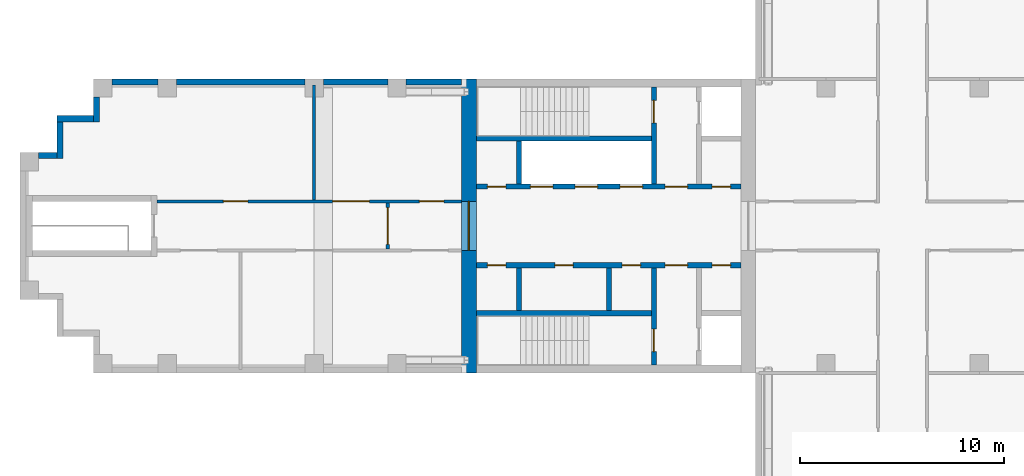
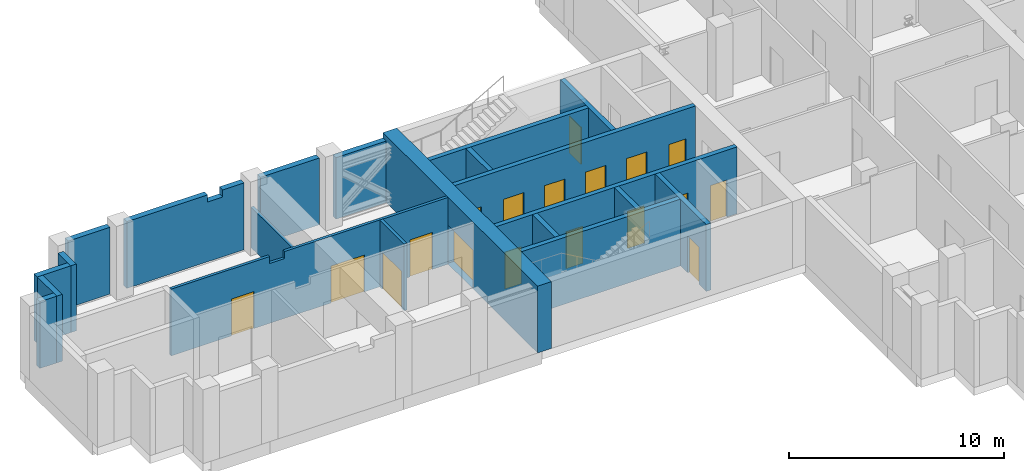
# One storey, part 3 of 8: 21 walls, 18 doors, 18 openings.
"""IFC4 building model written with IfcOpenShell, lengths in metres."""

import ifcopenshell
import ifcopenshell.guid

model = None  # the IFC model being written
_history = None  # IfcOwnerHistory: only IFC2X3 demands one
_inside = {}  # id of a spatial element -> (the spatial element, [elements in it])
_under = {}  # id of a project, library or spatial element -> (it, [spatial elements below it])
_declared = {}  # id of a project -> (the project, [libraries it declares])
_typed = {}  # id of a type object -> (the type object, [elements of that type])
_made_of = {}  # id of a material, layer set ... -> (it, [elements and type objects made of it])


def new_model(schema):
    """Start an empty IFC model of exactly this schema.

    Asked for "IFC4X3", IfcOpenShell would pick the latest addendum, in which some entities
    have other attributes; the version numbers below select the first issue.
    IFC2X3 requires an IfcOwnerHistory on every rooted entity: one is made here for all.
    """
    global model, _history
    if schema == "IFC4X3":
        model = ifcopenshell.file(schema_version=(4, 3, 0, 0))
    else:
        model = ifcopenshell.file(schema=schema)
    _inside.clear()
    _under.clear()
    _declared.clear()
    _typed.clear()
    _made_of.clear()
    _history = None
    if model.schema == "IFC2X3":
        org = make("IfcOrganization", Name="unknown")
        user = make(
            "IfcPersonAndOrganization",
            ThePerson=make("IfcPerson", FamilyName="unknown"),
            TheOrganization=org,
        )
        app = make(
            "IfcApplication",
            ApplicationDeveloper=org,
            Version="unknown",
            ApplicationFullName="unknown",
            ApplicationIdentifier="unknown",
        )
        _history = make(
            "IfcOwnerHistory",
            OwningUser=user,
            OwningApplication=app,
            ChangeAction="ADDED",
            CreationDate=0,
        )
    return model


def make(cls, **values):
    """One entity of the class cls with the attributes given. An attribute that is None is left unset."""
    return model.create_entity(
        cls, **{name: value for name, value in values.items() if value is not None}
    )


def rooted(cls, **values):
    """An entity with a GlobalId (a new one), such as an element, a storey or a relation."""
    return make(cls, GlobalId=ifcopenshell.guid.new(), OwnerHistory=_history, **values)


def si_unit(unit_type, name, prefix=None):
    """IfcSIUnit, for example si_unit("LENGTHUNIT", "METRE", prefix="MILLI")."""
    return make("IfcSIUnit", UnitType=unit_type, Prefix=prefix, Name=name)


def assignment(units):
    """IfcUnitAssignment: the units of a project."""
    return None if units is None else make("IfcUnitAssignment", Units=units)


def point(xyz):
    """IfcCartesianPoint."""
    return None if xyz is None else make("IfcCartesianPoint", Coordinates=xyz)


def direction(xyz):
    """IfcDirection."""
    return None if xyz is None else make("IfcDirection", DirectionRatios=xyz)


def frame(location, z_axis=None, x_axis=None):
    """IfcAxis2Placement3D, a coordinate frame: its origin and axes. An axis left out is left unset."""
    return make(
        "IfcAxis2Placement3D",
        Location=point(location),
        Axis=direction(z_axis),
        RefDirection=direction(x_axis),
    )


def frame_2d(location, x_axis=None):
    """IfcAxis2Placement2D, a coordinate frame in the plane: its origin and x axis."""
    return make(
        "IfcAxis2Placement2D", Location=point(location), RefDirection=direction(x_axis)
    )


def origin():
    """The frame at (0, 0, 0) with its axes left unset."""
    return frame((0.0, 0.0, 0.0))


def place(relative_to, where):
    """IfcLocalPlacement: puts the frame where relative to a parent placement (None: the world)."""
    return make(
        "IfcLocalPlacement", PlacementRelTo=relative_to, RelativePlacement=where
    )


def context(
    kind, dimensions, precision=None, world=None, true_north=None, identifier=None
):
    """IfcGeometricRepresentationContext, for example the 3D "Model" context."""
    return make(
        "IfcGeometricRepresentationContext",
        ContextIdentifier=identifier,
        ContextType=kind,
        CoordinateSpaceDimension=dimensions,
        Precision=precision,
        WorldCoordinateSystem=world,
        TrueNorth=true_north,
    )


def subcontext(parent, identifier, kind, view, scale=None):
    """IfcGeometricRepresentationSubContext, for example "Body" below "Model"."""
    return make(
        "IfcGeometricRepresentationSubContext",
        ContextIdentifier=identifier,
        ContextType=kind,
        ParentContext=parent,
        TargetScale=scale,
        TargetView=view,
    )


def project(units=None, contexts=None):
    """IfcProject with its units and contexts."""
    return rooted(
        "IfcProject",
        Name="project",
        RepresentationContexts=contexts,
        UnitsInContext=assignment(units),
    )


def spatial(cls, under=None, at=None, **own):
    """A site, building, storey or space (cls), placed at a placement, below another one or the project."""
    s = rooted(cls, ObjectPlacement=at, **own)
    if under is not None:
        _under.setdefault(under.id(), (under, []))[1].append(s)
    return s


def polyline(points):
    """IfcPolyline through the points."""
    return make("IfcPolyline", Points=[point(p) for p in points])


def profile(cls, at=None, kind="AREA", **sizes):
    """A parametric profile (cls). Its sizes go by their IFC names, for example OverallWidth=200.0."""
    return make(cls, ProfileType=kind, Position=at, **sizes)


def rectangle(**sizes):
    """IfcRectangleProfileDef."""
    return profile("IfcRectangleProfileDef", **sizes)


def outline(outer, holes=None, kind="AREA"):
    """IfcArbitraryClosedProfileDef: a profile drawn as a closed curve; with holes, ...WithVoids."""
    if holes is None:
        return make("IfcArbitraryClosedProfileDef", ProfileType=kind, OuterCurve=outer)
    return make(
        "IfcArbitraryProfileDefWithVoids",
        ProfileType=kind,
        OuterCurve=outer,
        InnerCurves=holes,
    )


def extrude(swept, where, along, depth):
    """IfcExtrudedAreaSolid: the profile swept, set in the frame where, extruded along a direction by depth."""
    return make(
        "IfcExtrudedAreaSolid",
        SweptArea=swept,
        Position=where,
        ExtrudedDirection=direction(along),
        Depth=depth,
    )


def shape(context_of_items, identifier, shape_type, items):
    """IfcShapeRepresentation: the items that make up one representation, for example the "Body"."""
    return make(
        "IfcShapeRepresentation",
        ContextOfItems=context_of_items,
        RepresentationIdentifier=identifier,
        RepresentationType=shape_type,
        Items=items,
    )


def material(Name=None, Category=None):
    """IfcMaterial."""
    return make("IfcMaterial", Name=Name, Category=Category)


def layer(
    of_material, thickness, ventilated=None, Name=None, Category=None, Priority=None
):
    """IfcMaterialLayer: one layer of a wall or slab, of a material (None: an air gap)."""
    return make(
        "IfcMaterialLayer",
        Material=of_material,
        LayerThickness=thickness,
        IsVentilated=ventilated,
        Name=Name,
        Category=Category,
        Priority=Priority,
    )


def layer_set(layers, Name=None):
    """IfcMaterialLayerSet."""
    return make("IfcMaterialLayerSet", MaterialLayers=layers, LayerSetName=Name)


def made_of(thing, what):
    """Note that an element or type object is made of a material, layer set ...; save() writes the relation."""
    if what is not None:
        _made_of.setdefault(what.id(), (what, []))[1].append(thing)
    return thing


def type_object(cls, material=None, **own):
    """A type object (cls), such as IfcWallType, which elements share."""
    return made_of(rooted(cls, **own), material)


def element(
    cls,
    number,
    at=None,
    inside=None,
    cuts=None,
    type_object=None,
    material=None,
    context=None,
    identifier="Body",
    shape_type=None,
    held_by="IfcProductDefinitionShape",
    body=None,
    shapes=None,
    **own,
):
    """One element of the class cls, such as IfcWall. Its Tag is "e" and its number.

    at: its placement. inside: the storey or other place that contains it. cuts: it is an
    opening in that element (IfcRelVoidsElement). A single representation is given by context,
    identifier, shape_type and body (its items); several are given by shapes. held_by: the class
    of the entity that holds the representations. save() writes the other relations.
    """
    e = rooted(cls, Tag="e%d" % number, ObjectPlacement=at, **own)
    if body is not None:
        shapes = [shape(context, identifier, shape_type, body)]
    if shapes is not None:
        e.Representation = make(held_by, Representations=shapes)
    if inside is not None:
        _inside.setdefault(inside.id(), (inside, []))[1].append(e)
    if cuts is not None:
        rooted(
            "IfcRelVoidsElement", RelatingBuildingElement=cuts, RelatedOpeningElement=e
        )
    if type_object is not None:
        _typed.setdefault(type_object.id(), (type_object, []))[1].append(e)
    return made_of(e, material)


def fill(opening, filler):
    """IfcRelFillsElement: the door or window that sits in an opening."""
    return rooted(
        "IfcRelFillsElement",
        RelatingOpeningElement=opening,
        RelatedBuildingElement=filler,
    )


def aggregate(whole, parts):
    """IfcRelAggregates: a whole, such as a stair, and the parts it consists of."""
    return rooted("IfcRelAggregates", RelatingObject=whole, RelatedObjects=parts)


def save(model, path):
    """Write the relations noted so far, then the file.

    IfcRelAggregates (storeys below a building ...), IfcRelContainedInSpatialStructure (elements
    in a storey), IfcRelDefinesByType, IfcRelAssociatesMaterial and IfcRelDeclares: one each for
    every whole, place, type object, material and project.
    """
    for whole, parts in _under.values():
        aggregate(whole, parts)
    for where, things in _inside.values():
        rooted(
            "IfcRelContainedInSpatialStructure",
            RelatedElements=things,
            RelatingStructure=where,
        )
    for kind, things in _typed.values():
        rooted("IfcRelDefinesByType", RelatedObjects=things, RelatingType=kind)
    for what, things in _made_of.values():
        rooted("IfcRelAssociatesMaterial", RelatedObjects=things, RelatingMaterial=what)
    for by, libraries in _declared.values():
        rooted("IfcRelDeclares", RelatingContext=by, RelatedDefinitions=libraries)
    model.write(path)


model = new_model("IFC4")

# Units and contexts
model_context = context("Model", 3, precision=1e-05, world=origin(), true_north=direction((0.0, 1.0)))
body_context = subcontext(model_context, "Body", "Model", "MODEL_VIEW")
ifc_project = project(units=[si_unit("LENGTHUNIT", "METRE"), si_unit("AREAUNIT", "SQUARE_METRE"), si_unit("VOLUMEUNIT", "CUBIC_METRE"), si_unit("PLANEANGLEUNIT", "RADIAN"), si_unit("MASSUNIT", "GRAM", prefix="KILO")], contexts=[model_context])

# Site, building, storey
site_placement = place(None, origin())
site = spatial("IfcSite", under=ifc_project, at=site_placement, CompositionType="ELEMENT")
building_placement = place(site_placement, origin())
building = spatial("IfcBuilding", under=site, at=building_placement, Name="Fustian Cross Tower", CompositionType="ELEMENT")
storey_placement = place(building_placement, frame((0.0, 0.0, 194.699951171875)))
storey = spatial("IfcBuildingStorey", under=building, at=storey_placement, Name="L61", CompositionType="ELEMENT", Elevation=194.699951171875)

# Wall, openings, doors
ifc_material_1 = material(Name="Plasterboard on steel stud", Category="steel")
ifc_layer_1 = layer(ifc_material_1, 0.14990234375)
ifc_layer_set_1 = layer_set([ifc_layer_1], Name="Plasterboard on steel stud")
wall_type_1 = type_object("IfcWallType", Name="COMPARTMENT WALL 150 EI 60", PredefinedType="PARTITIONING", material=ifc_layer_set_1)
wall_1_placement = place(storey_placement, frame((-36.5, 1.199951171875, 0.0), z_axis=(0.0, 0.0, 1.0), x_axis=(1.0, 0.0, 0.0)))
wall_1 = element("IfcWall", 1, at=wall_1_placement, inside=storey, type_object=wall_type_1, Name="Partition 2", PredefinedType="PARTITIONING", context=body_context, shape_type="SweptSolid", body=[
    extrude(outline(polyline([(0.0, 0.0), (14.89990234375, 0.0), (14.89990234375, 3.800048828125), (6.10205078125, 3.800048828125), (6.10009765625, 3.400146484375), (5.300048828125, 3.400146484375), (5.298095703125, 3.800048828125), (0.0, 3.800048828125), (0.0, 0.0)])), frame((0.0, 0.074951171875, 0.0), z_axis=(0.0, -1.0, 0.0), x_axis=(1.0, 0.0, 0.0)), (0.0, 0.0, 1.0), 0.14990234375),
])
opening_1_placement = place(wall_1_placement, frame((8.60009765625, 0.0, 0.0)))
opening_1 = element("IfcOpeningElement", 2, at=opening_1_placement, cuts=wall_1, Name="Opening D28034", PredefinedType="OPENING", context=body_context, shape_type="SweptSolid", body=[
    extrude(rectangle(XDim=1.800048828125, YDim=2.10009765625, at=frame_2d((0.89990234375, 1.050048828125))), frame((0.0, 0.0849609375, 0.0), z_axis=(0.0, -1.0, 0.0), x_axis=(1.0, 0.0, 0.0)), (0.0, 0.0, 1.0), 0.169921875),
])
opening_2_placement = place(wall_1_placement, frame((12.85009765625, 0.0, 0.0)))
opening_2 = element("IfcOpeningElement", 3, at=opening_2_placement, cuts=wall_1, Name="Opening D28035", PredefinedType="OPENING", context=body_context, shape_type="SweptSolid", body=[
    extrude(rectangle(XDim=1.199951171875, YDim=2.10009765625, at=frame_2d((0.60009765625, 1.050048828125))), frame((0.0, 0.0849609375, 0.0), z_axis=(0.0, -1.0, 0.0), x_axis=(1.0, 0.0, 0.0)), (0.0, 0.0, 1.0), 0.169921875),
])
opening_3_placement = place(wall_1_placement, frame((3.25, 0.0, 0.0)))
opening_3 = element("IfcOpeningElement", 4, at=opening_3_placement, cuts=wall_1, Name="Opening D28036", PredefinedType="OPENING", context=body_context, shape_type="SweptSolid", body=[
    extrude(rectangle(XDim=1.199951171875, YDim=2.10009765625, at=frame_2d((0.60009765625, 1.050048828125))), frame((0.0, 0.0849609375, 0.0), z_axis=(0.0, -1.0, 0.0), x_axis=(1.0, 0.0, 0.0)), (0.0, 0.0, 1.0), 0.169921875),
])
ifc_material_2 = material(Name="Timber fire door set", Category="wood")
door_type_1 = type_object("IfcDoorType", Name="FIRE DOUBLE DOOR 1800 FD60S", OperationType="DOUBLE_DOOR_DOUBLE_SWING", PredefinedType="DOOR", material=ifc_material_2)
door_1_placement = place(opening_1_placement, frame((1.800048828125, 0.0, 0.0), z_axis=(0.0, 0.0, 1.0), x_axis=(-1.0, 0.0, 0.0)))
door_1 = element("IfcDoor", 5, at=door_1_placement, inside=storey, type_object=door_type_1, Name="Door D28034", OperationType="DOUBLE_DOOR_DOUBLE_SWING", OverallHeight=2.10009765625, OverallWidth=1.800048828125, PredefinedType="DOOR", context=body_context, shape_type="SweptSolid", body=[
    extrude(rectangle(XDim=1.800048828125, YDim=2.10009765625, at=frame_2d((0.89990234375, 1.050048828125))), frame((0.0, 0.02490234375, 0.0), z_axis=(0.0, -1.0, 0.0), x_axis=(1.0, 0.0, 0.0)), (0.0, 0.0, 1.0), 0.050048828125),
])
fill(opening_1, door_1)
ifc_material_3 = material(Name="Timber fire door set", Category="wood")
door_type_2 = type_object("IfcDoorType", Name="FIRE SWING DOOR 1200 FD60S", OperationType="SINGLE_SWING_LEFT", PredefinedType="DOOR", material=ifc_material_3)
door_2_placement = place(opening_2_placement, frame((1.199951171875, 0.0, 0.0), z_axis=(0.0, 0.0, 1.0), x_axis=(-1.0, 0.0, 0.0)))
door_2 = element("IfcDoor", 6, at=door_2_placement, inside=storey, type_object=door_type_2, Name="Door D28035", OperationType="SINGLE_SWING_LEFT", OverallHeight=2.10009765625, OverallWidth=1.199951171875, PredefinedType="DOOR", context=body_context, shape_type="SweptSolid", body=[
    extrude(rectangle(XDim=1.199951171875, YDim=2.10009765625, at=frame_2d((0.60009765625, 1.050048828125))), frame((0.0, 0.02490234375, 0.0), z_axis=(0.0, -1.0, 0.0), x_axis=(1.0, 0.0, 0.0)), (0.0, 0.0, 1.0), 0.050048828125),
])
fill(opening_2, door_2)
door_3_placement = place(opening_3_placement, origin())
door_3 = element("IfcDoor", 7, at=door_3_placement, inside=storey, type_object=door_type_2, Name="Door D28036", OperationType="SINGLE_SWING_RIGHT", OverallHeight=2.10009765625, OverallWidth=1.199951171875, PredefinedType="DOOR", context=body_context, shape_type="SweptSolid", body=[
    extrude(rectangle(XDim=1.199951171875, YDim=2.10009765625, at=frame_2d((0.60009765625, 1.050048828125))), frame((0.0, 0.02490234375, 0.0), z_axis=(0.0, -1.0, 0.0), x_axis=(1.0, 0.0, 0.0)), (0.0, 0.0, 1.0), 0.050048828125),
])
fill(opening_3, door_3)

# Wall
wall_2_placement = place(storey_placement, frame((-28.800048828125, 1.27490234375, 0.0), z_axis=(0.0, 0.0, 1.0), x_axis=(0.0, 1.0, 0.0)))
element("IfcWall", 8, at=wall_2_placement, inside=storey, type_object=wall_type_1, Name="Partition 4", PredefinedType="PARTITIONING", context=body_context, shape_type="SweptSolid", body=[
    extrude(rectangle(XDim=5.625, YDim=0.14990234375, at=frame_2d((2.8125, 0.0))), origin(), (0.0, 0.0, 1.0), 2.300048828125),
])

# Wall, opening, door
wall_3_placement = place(storey_placement, frame((-25.199951171875, -1.125, 0.0), z_axis=(0.0, 0.0, 1.0), x_axis=(0.0, 1.0, 0.0)))
wall_3 = element("IfcWall", 9, at=wall_3_placement, inside=storey, type_object=wall_type_1, Name="Partition 5", PredefinedType="PARTITIONING", context=body_context, shape_type="SweptSolid", body=[
    extrude(rectangle(XDim=2.25, YDim=0.14990234375, at=frame_2d((1.125, 0.0))), origin(), (0.0, 0.0, 1.0), 3.800048828125),
])
opening_4_placement = place(wall_3_placement, frame((0.22509765625, 0.0, 0.0)))
opening_4 = element("IfcOpeningElement", 10, at=opening_4_placement, cuts=wall_3, Name="Opening D28030", PredefinedType="OPENING", context=body_context, shape_type="SweptSolid", body=[
    extrude(rectangle(XDim=1.800048828125, YDim=2.10009765625, at=frame_2d((0.89990234375, 1.050048828125))), frame((0.0, 0.0849609375, 0.0), z_axis=(0.0, -1.0, 0.0), x_axis=(1.0, 0.0, 0.0)), (0.0, 0.0, 1.0), 0.169921875),
])
ifc_material_4 = material(Name="Timber fire door set", Category="wood")
door_type_3 = type_object("IfcDoorType", Name="FIRE DOUBLE DOOR 1800 FD30S", OperationType="DOUBLE_DOOR_DOUBLE_SWING", PredefinedType="DOOR", material=ifc_material_4)
door_4_placement = place(opening_4_placement, frame((1.800048828125, 0.0, 0.0), z_axis=(0.0, 0.0, 1.0), x_axis=(-1.0, 0.0, 0.0)))
door_4 = element("IfcDoor", 11, at=door_4_placement, inside=storey, type_object=door_type_3, Name="Door D28030", OperationType="DOUBLE_DOOR_DOUBLE_SWING", OverallHeight=2.10009765625, OverallWidth=1.800048828125, PredefinedType="DOOR", context=body_context, shape_type="SweptSolid", body=[
    extrude(rectangle(XDim=1.800048828125, YDim=2.10009765625, at=frame_2d((0.89990234375, 1.050048828125))), frame((0.0, 0.02490234375, 0.0), z_axis=(0.0, -1.0, 0.0), x_axis=(1.0, 0.0, 0.0)), (0.0, 0.0, 1.0), 0.050048828125),
])
fill(opening_4, door_4)

ifc_material_5 = material(Name="Concrete C50/60", Category="concrete")
ifc_layer_2 = layer(ifc_material_5, 0.75)
ifc_layer_set_2 = layer_set([ifc_layer_2], Name="Concrete C50/60")
wall_type_2 = type_object("IfcWallType", Name="CORE END WALL 750 C50/60", PredefinedType="SHEAR", material=ifc_layer_set_2)
wall_4_placement = place(storey_placement, frame((-21.22509765625, -7.199951171875, 0.0), z_axis=(0.0, 0.0, 1.0), x_axis=(0.0, 1.0, 0.0)))
wall_4 = element("IfcWall", 12, at=wall_4_placement, inside=storey, type_object=wall_type_2, Name="Core end wall", PredefinedType="SHEAR", context=body_context, shape_type="SweptSolid", body=[
    extrude(rectangle(XDim=14.39990234375, YDim=0.75, at=frame_2d((7.199951171875, 0.0))), origin(), (0.0, 0.0, 1.0), 3.800048828125),
])
opening_5_placement = place(wall_4_placement, frame((6.0, 0.0, 0.0)))
opening_5 = element("IfcOpeningElement", 13, at=opening_5_placement, cuts=wall_4, Name="Opening CD-26-30", PredefinedType="OPENING", context=body_context, shape_type="SweptSolid", body=[
    extrude(rectangle(XDim=2.39990234375, YDim=2.199951171875, at=frame_2d((1.199951171875, 1.10009765625))), frame((0.0, 0.385009765625, 0.0), z_axis=(0.0, -1.0, 0.0), x_axis=(1.0, 0.0, 0.0)), (0.0, 0.0, 1.0), 0.77001953125),
])
ifc_material_6 = material(Name="Steel", Category="steel")
door_type_4 = type_object("IfcDoorType", Name="FIRE DOOR FD30S DOUBLE 2400X2200", OperationType="DOUBLE_DOOR_DOUBLE_SWING", PredefinedType="DOOR", material=ifc_material_6)
door_5_placement = place(opening_5_placement, frame((2.39990234375, 0.0, 0.0), z_axis=(0.0, 0.0, 1.0), x_axis=(-1.0, 0.0, 0.0)))
door_5 = element("IfcDoor", 14, at=door_5_placement, inside=storey, type_object=door_type_4, Name="Core door CD-26-30", OperationType="DOUBLE_DOOR_DOUBLE_SWING", OverallHeight=2.199951171875, OverallWidth=2.39990234375, PredefinedType="DOOR", context=body_context, shape_type="SweptSolid", body=[
    extrude(rectangle(XDim=2.39990234375, YDim=2.199951171875, at=frame_2d((1.199951171875, 1.10009765625))), frame((0.0, 0.02490234375, 0.0), z_axis=(0.0, -1.0, 0.0), x_axis=(1.0, 0.0, 0.0)), (0.0, 0.0, 1.0), 0.050048828125),
])
fill(opening_5, door_5)

# Wall, openings, doors
ifc_material_7 = material(Name="Concrete C50/60", Category="concrete")
ifc_layer_3 = layer(ifc_material_7, 0.25)
ifc_layer_set_3 = layer_set([ifc_layer_3], Name="Concrete C50/60")
wall_type_3 = type_object("IfcWallType", Name="CORE LOBBY WALL 250 C50/60", PredefinedType="SHEAR", material=ifc_layer_set_3)
wall_5_placement = place(storey_placement, frame((-7.89990234375, 1.925048828125, 0.0), z_axis=(0.0, 0.0, 1.0), x_axis=(-1.0, 0.0, 0.0)))
wall_5 = element("IfcWall", 15, at=wall_5_placement, inside=storey, type_object=wall_type_3, Name="Core lobby wall", PredefinedType="SHEAR", context=body_context, shape_type="SweptSolid", body=[
    extrude(rectangle(XDim=12.9501953125, YDim=0.25, at=frame_2d((6.47509765625, 0.0))), origin(), (0.0, 0.0, 1.0), 3.800048828125),
])
opening_6_placement = place(wall_5_placement, frame((4.824951171875, 0.0, 0.0)))
opening_6 = element("IfcOpeningElement", 16, at=opening_6_placement, cuts=wall_5, Name="Opening LD", PredefinedType="OPENING", context=body_context, shape_type="SweptSolid", body=[
    extrude(rectangle(XDim=1.10009765625, YDim=2.10009765625, at=frame_2d((0.550048828125, 1.050048828125))), frame((0.0, 0.135009765625, 0.0), z_axis=(0.0, -1.0, 0.0), x_axis=(1.0, 0.0, 0.0)), (0.0, 0.0, 1.0), 0.27001953125),
])
opening_7_placement = place(wall_5_placement, frame((7.02490234375, 0.0, 0.0)))
opening_7 = element("IfcOpeningElement", 17, at=opening_7_placement, cuts=wall_5, Name="Opening LD", PredefinedType="OPENING", context=body_context, shape_type="SweptSolid", body=[
    extrude(rectangle(XDim=1.10009765625, YDim=2.10009765625, at=frame_2d((0.550048828125, 1.050048828125))), frame((0.0, 0.135009765625, 0.0), z_axis=(0.0, -1.0, 0.0), x_axis=(1.0, 0.0, 0.0)), (0.0, 0.0, 1.0), 0.27001953125),
])
opening_8_placement = place(wall_5_placement, frame((9.22509765625, 0.0, 0.0)))
opening_8 = element("IfcOpeningElement", 18, at=opening_8_placement, cuts=wall_5, Name="Opening LD", PredefinedType="OPENING", context=body_context, shape_type="SweptSolid", body=[
    extrude(rectangle(XDim=1.10009765625, YDim=2.10009765625, at=frame_2d((0.550048828125, 1.050048828125))), frame((0.0, 0.135009765625, 0.0), z_axis=(0.0, -1.0, 0.0), x_axis=(1.0, 0.0, 0.0)), (0.0, 0.0, 1.0), 0.27001953125),
])
opening_9_placement = place(wall_5_placement, frame((0.52490234375, 0.0, 0.0)))
opening_9 = element("IfcOpeningElement", 19, at=opening_9_placement, cuts=wall_5, Name="Opening CD-26-25", PredefinedType="OPENING", context=body_context, shape_type="SweptSolid", body=[
    extrude(rectangle(XDim=0.89990234375, YDim=2.10009765625, at=frame_2d((0.449951171875, 1.050048828125))), frame((0.0, 0.135009765625, 0.0), z_axis=(0.0, -1.0, 0.0), x_axis=(1.0, 0.0, 0.0)), (0.0, 0.0, 1.0), 0.27001953125),
])
opening_10_placement = place(wall_5_placement, frame((2.625, 0.0, 0.0)))
opening_10 = element("IfcOpeningElement", 20, at=opening_10_placement, cuts=wall_5, Name="Opening CD-26-27", PredefinedType="OPENING", context=body_context, shape_type="SweptSolid", body=[
    extrude(rectangle(XDim=1.10009765625, YDim=2.10009765625, at=frame_2d((0.550048828125, 1.050048828125))), frame((0.0, 0.135009765625, 0.0), z_axis=(0.0, -1.0, 0.0), x_axis=(1.0, 0.0, 0.0)), (0.0, 0.0, 1.0), 0.27001953125),
])
opening_11_placement = place(wall_5_placement, frame((11.52490234375, 0.0, 0.0)))
opening_11 = element("IfcOpeningElement", 21, at=opening_11_placement, cuts=wall_5, Name="Opening CD-26-31", PredefinedType="OPENING", context=body_context, shape_type="SweptSolid", body=[
    extrude(rectangle(XDim=0.89990234375, YDim=2.10009765625, at=frame_2d((0.449951171875, 1.050048828125))), frame((0.0, 0.135009765625, 0.0), z_axis=(0.0, -1.0, 0.0), x_axis=(1.0, 0.0, 0.0)), (0.0, 0.0, 1.0), 0.27001953125),
])
ifc_material_8 = material(Name="Steel", Category="steel")
door_type_5 = type_object("IfcDoorType", Name="FIRE DOOR FD30S 900X2100", OperationType="SINGLE_SWING_LEFT", PredefinedType="DOOR", material=ifc_material_8)
door_6_placement = place(opening_11_placement, frame((0.89990234375, 0.0, 0.0), z_axis=(0.0, 0.0, 1.0), x_axis=(-1.0, 0.0, 0.0)))
door_6 = element("IfcDoor", 22, at=door_6_placement, inside=storey, type_object=door_type_5, Name="Core door CD-26-31", OperationType="SINGLE_SWING_RIGHT", OverallHeight=2.10009765625, OverallWidth=0.89990234375, PredefinedType="DOOR", context=body_context, shape_type="SweptSolid", body=[
    extrude(rectangle(XDim=0.89990234375, YDim=2.10009765625, at=frame_2d((0.449951171875, 1.050048828125))), frame((0.0, 0.02490234375, 0.0), z_axis=(0.0, -1.0, 0.0), x_axis=(1.0, 0.0, 0.0)), (0.0, 0.0, 1.0), 0.050048828125),
])
fill(opening_11, door_6)
ifc_material_9 = material(Name="Steel", Category="steel")
door_type_6 = type_object("IfcDoorType", Name="FIRE DOOR FD60S 1100X2100", OperationType="SINGLE_SWING_LEFT", PredefinedType="DOOR", material=ifc_material_9)
door_7_placement = place(opening_10_placement, frame((1.10009765625, 0.0, 0.0), z_axis=(0.0, 0.0, 1.0), x_axis=(-1.0, 0.0, 0.0)))
door_7 = element("IfcDoor", 23, at=door_7_placement, inside=storey, type_object=door_type_6, Name="Core door CD-26-27", OperationType="SINGLE_SWING_RIGHT", OverallHeight=2.10009765625, OverallWidth=1.10009765625, PredefinedType="DOOR", context=body_context, shape_type="SweptSolid", body=[
    extrude(rectangle(XDim=1.10009765625, YDim=2.10009765625, at=frame_2d((0.550048828125, 1.050048828125))), frame((0.0, 0.02490234375, 0.0), z_axis=(0.0, -1.0, 0.0), x_axis=(1.0, 0.0, 0.0)), (0.0, 0.0, 1.0), 0.050048828125),
])
fill(opening_10, door_7)
ifc_material_10 = material(Name="Steel", Category="steel")
door_type_7 = type_object("IfcDoorType", Name="FIRE DOOR FD60S 900X2100", OperationType="SINGLE_SWING_LEFT", PredefinedType="DOOR", material=ifc_material_10)
door_8_placement = place(opening_9_placement, frame((0.89990234375, 0.0, 0.0), z_axis=(0.0, 0.0, 1.0), x_axis=(-1.0, 0.0, 0.0)))
door_8 = element("IfcDoor", 24, at=door_8_placement, inside=storey, type_object=door_type_7, Name="Core door CD-26-25", OperationType="SINGLE_SWING_RIGHT", OverallHeight=2.10009765625, OverallWidth=0.89990234375, PredefinedType="DOOR", context=body_context, shape_type="SweptSolid", body=[
    extrude(rectangle(XDim=0.89990234375, YDim=2.10009765625, at=frame_2d((0.449951171875, 1.050048828125))), frame((0.0, 0.02490234375, 0.0), z_axis=(0.0, -1.0, 0.0), x_axis=(1.0, 0.0, 0.0)), (0.0, 0.0, 1.0), 0.050048828125),
])
fill(opening_9, door_8)
ifc_material_11 = material(Name="Stainless steel", Category="steel")
door_type_8 = type_object("IfcDoorType", Name="LIFT LANDING DOOR 1100X2100", OperationType="SLIDING_TO_LEFT", PredefinedType="DOOR", material=ifc_material_11)
door_9_placement = place(opening_6_placement, origin())
door_9 = element("IfcDoor", 25, at=door_9_placement, inside=storey, type_object=door_type_8, Name="Landing door HR1W", OperationType="SLIDING_TO_LEFT", OverallHeight=2.10009765625, OverallWidth=1.10009765625, PredefinedType="DOOR", context=body_context, shape_type="SweptSolid", body=[
    extrude(rectangle(XDim=1.10009765625, YDim=2.10009765625, at=frame_2d((0.550048828125, 1.050048828125))), frame((0.0, 0.02490234375, 0.0), z_axis=(0.0, -1.0, 0.0), x_axis=(1.0, 0.0, 0.0)), (0.0, 0.0, 1.0), 0.050048828125),
])
fill(opening_6, door_9)
door_10_placement = place(opening_7_placement, origin())
door_10 = element("IfcDoor", 26, at=door_10_placement, inside=storey, type_object=door_type_8, Name="Landing door HR2W", OperationType="SLIDING_TO_LEFT", OverallHeight=2.10009765625, OverallWidth=1.10009765625, PredefinedType="DOOR", context=body_context, shape_type="SweptSolid", body=[
    extrude(rectangle(XDim=1.10009765625, YDim=2.10009765625, at=frame_2d((0.550048828125, 1.050048828125))), frame((0.0, 0.02490234375, 0.0), z_axis=(0.0, -1.0, 0.0), x_axis=(1.0, 0.0, 0.0)), (0.0, 0.0, 1.0), 0.050048828125),
])
fill(opening_7, door_10)
door_11_placement = place(opening_8_placement, origin())
door_11 = element("IfcDoor", 27, at=door_11_placement, inside=storey, type_object=door_type_8, Name="Landing door HR3W", OperationType="SLIDING_TO_LEFT", OverallHeight=2.10009765625, OverallWidth=1.10009765625, PredefinedType="DOOR", context=body_context, shape_type="SweptSolid", body=[
    extrude(rectangle(XDim=1.10009765625, YDim=2.10009765625, at=frame_2d((0.550048828125, 1.050048828125))), frame((0.0, 0.02490234375, 0.0), z_axis=(0.0, -1.0, 0.0), x_axis=(1.0, 0.0, 0.0)), (0.0, 0.0, 1.0), 0.050048828125),
])
fill(opening_8, door_11)

wall_6_placement = place(storey_placement, frame((-7.89990234375, -1.925048828125, 0.0), z_axis=(0.0, 0.0, 1.0), x_axis=(-1.0, 0.0, 0.0)))
wall_6 = element("IfcWall", 28, at=wall_6_placement, inside=storey, type_object=wall_type_3, Name="Core lobby wall", PredefinedType="SHEAR", context=body_context, shape_type="SweptSolid", body=[
    extrude(rectangle(XDim=12.9501953125, YDim=0.25, at=frame_2d((6.47509765625, 0.0))), origin(), (0.0, 0.0, 1.0), 3.800048828125),
])
opening_12_placement = place(wall_6_placement, frame((0.52490234375, 0.0, 0.0)))
opening_12 = element("IfcOpeningElement", 29, at=opening_12_placement, cuts=wall_6, Name="Opening CD-26-26", PredefinedType="OPENING", context=body_context, shape_type="SweptSolid", body=[
    extrude(rectangle(XDim=0.89990234375, YDim=2.10009765625, at=frame_2d((0.449951171875, 1.050048828125))), frame((0.0, 0.135009765625, 0.0), z_axis=(0.0, -1.0, 0.0), x_axis=(1.0, 0.0, 0.0)), (0.0, 0.0, 1.0), 0.27001953125),
])
opening_13_placement = place(wall_6_placement, frame((2.625, 0.0, 0.0)))
opening_13 = element("IfcOpeningElement", 30, at=opening_13_placement, cuts=wall_6, Name="Opening CD-26-28", PredefinedType="OPENING", context=body_context, shape_type="SweptSolid", body=[
    extrude(rectangle(XDim=1.10009765625, YDim=2.10009765625, at=frame_2d((0.550048828125, 1.050048828125))), frame((0.0, 0.135009765625, 0.0), z_axis=(0.0, -1.0, 0.0), x_axis=(1.0, 0.0, 0.0)), (0.0, 0.0, 1.0), 0.27001953125),
])
opening_14_placement = place(wall_6_placement, frame((4.925048828125, 0.0, 0.0)))
opening_14 = element("IfcOpeningElement", 31, at=opening_14_placement, cuts=wall_6, Name="Opening CD-26-32", PredefinedType="OPENING", context=body_context, shape_type="SweptSolid", body=[
    extrude(rectangle(XDim=0.89990234375, YDim=2.10009765625, at=frame_2d((0.449951171875, 1.050048828125))), frame((0.0, 0.135009765625, 0.0), z_axis=(0.0, -1.0, 0.0), x_axis=(1.0, 0.0, 0.0)), (0.0, 0.0, 1.0), 0.27001953125),
])
opening_15_placement = place(wall_6_placement, frame((8.22509765625, 0.0, 0.0)))
opening_15 = element("IfcOpeningElement", 32, at=opening_15_placement, cuts=wall_6, Name="Opening CD-26-33", PredefinedType="OPENING", context=body_context, shape_type="SweptSolid", body=[
    extrude(rectangle(XDim=0.89990234375, YDim=2.10009765625, at=frame_2d((0.449951171875, 1.050048828125))), frame((0.0, 0.135009765625, 0.0), z_axis=(0.0, -1.0, 0.0), x_axis=(1.0, 0.0, 0.0)), (0.0, 0.0, 1.0), 0.27001953125),
])
opening_16_placement = place(wall_6_placement, frame((11.52490234375, 0.0, 0.0)))
opening_16 = element("IfcOpeningElement", 33, at=opening_16_placement, cuts=wall_6, Name="Opening CD-26-34", PredefinedType="OPENING", context=body_context, shape_type="SweptSolid", body=[
    extrude(rectangle(XDim=0.89990234375, YDim=2.10009765625, at=frame_2d((0.449951171875, 1.050048828125))), frame((0.0, 0.135009765625, 0.0), z_axis=(0.0, -1.0, 0.0), x_axis=(1.0, 0.0, 0.0)), (0.0, 0.0, 1.0), 0.27001953125),
])
ifc_material_12 = material(Name="Steel", Category="steel")
door_type_9 = type_object("IfcDoorType", Name="FIRE DOOR FD30S 1100X2100", OperationType="SINGLE_SWING_LEFT", PredefinedType="DOOR", material=ifc_material_12)
door_12_placement = place(opening_13_placement, frame((1.10009765625, 0.0, 0.0), z_axis=(0.0, 0.0, 1.0), x_axis=(-1.0, 0.0, 0.0)))
door_12 = element("IfcDoor", 34, at=door_12_placement, inside=storey, type_object=door_type_9, Name="Core door CD-26-28", OperationType="SINGLE_SWING_RIGHT", OverallHeight=2.10009765625, OverallWidth=1.10009765625, PredefinedType="DOOR", context=body_context, shape_type="SweptSolid", body=[
    extrude(rectangle(XDim=1.10009765625, YDim=2.10009765625, at=frame_2d((0.550048828125, 1.050048828125))), frame((0.0, 0.02490234375, 0.0), z_axis=(0.0, -1.0, 0.0), x_axis=(1.0, 0.0, 0.0)), (0.0, 0.0, 1.0), 0.050048828125),
])
fill(opening_13, door_12)
door_13_placement = place(opening_12_placement, origin())
door_13 = element("IfcDoor", 35, at=door_13_placement, inside=storey, type_object=door_type_5, Name="Core door CD-26-26", OperationType="SINGLE_SWING_LEFT", OverallHeight=2.10009765625, OverallWidth=0.89990234375, PredefinedType="DOOR", context=body_context, shape_type="SweptSolid", body=[
    extrude(rectangle(XDim=0.89990234375, YDim=2.10009765625, at=frame_2d((0.449951171875, 1.050048828125))), frame((0.0, 0.02490234375, 0.0), z_axis=(0.0, -1.0, 0.0), x_axis=(1.0, 0.0, 0.0)), (0.0, 0.0, 1.0), 0.050048828125),
])
fill(opening_12, door_13)
door_14_placement = place(opening_14_placement, origin())
door_14 = element("IfcDoor", 36, at=door_14_placement, inside=storey, type_object=door_type_5, Name="Core door CD-26-32", OperationType="SINGLE_SWING_LEFT", OverallHeight=2.10009765625, OverallWidth=0.89990234375, PredefinedType="DOOR", context=body_context, shape_type="SweptSolid", body=[
    extrude(rectangle(XDim=0.89990234375, YDim=2.10009765625, at=frame_2d((0.449951171875, 1.050048828125))), frame((0.0, 0.02490234375, 0.0), z_axis=(0.0, -1.0, 0.0), x_axis=(1.0, 0.0, 0.0)), (0.0, 0.0, 1.0), 0.050048828125),
])
fill(opening_14, door_14)
door_15_placement = place(opening_15_placement, origin())
door_15 = element("IfcDoor", 37, at=door_15_placement, inside=storey, type_object=door_type_5, Name="Core door CD-26-33", OperationType="SINGLE_SWING_RIGHT", OverallHeight=2.10009765625, OverallWidth=0.89990234375, PredefinedType="DOOR", context=body_context, shape_type="SweptSolid", body=[
    extrude(rectangle(XDim=0.89990234375, YDim=2.10009765625, at=frame_2d((0.449951171875, 1.050048828125))), frame((0.0, 0.02490234375, 0.0), z_axis=(0.0, -1.0, 0.0), x_axis=(1.0, 0.0, 0.0)), (0.0, 0.0, 1.0), 0.050048828125),
])
fill(opening_15, door_15)
door_16_placement = place(opening_16_placement, origin())
door_16 = element("IfcDoor", 38, at=door_16_placement, inside=storey, type_object=door_type_5, Name="Core door CD-26-34", OperationType="SINGLE_SWING_LEFT", OverallHeight=2.10009765625, OverallWidth=0.89990234375, PredefinedType="DOOR", context=body_context, shape_type="SweptSolid", body=[
    extrude(rectangle(XDim=0.89990234375, YDim=2.10009765625, at=frame_2d((0.449951171875, 1.050048828125))), frame((0.0, 0.02490234375, 0.0), z_axis=(0.0, -1.0, 0.0), x_axis=(1.0, 0.0, 0.0)), (0.0, 0.0, 1.0), 0.050048828125),
])
fill(opening_16, door_16)

# Wall
ifc_material_13 = material(Name="Concrete C50/60", Category="concrete")
ifc_layer_4 = layer(ifc_material_13, 0.25)
ifc_layer_set_4 = layer_set([ifc_layer_4], Name="Concrete C50/60")
wall_type_4 = type_object("IfcWallType", Name="CORE SHAFT WALL 250 C50/60", PredefinedType="SHEAR", material=ifc_layer_set_4)
wall_7_placement = place(storey_placement, frame((-12.300048828125, 4.27490234375, 0.0), z_axis=(0.0, 0.0, 1.0), x_axis=(-1.0, 0.0, 0.0)))
element("IfcWall", 39, at=wall_7_placement, inside=storey, type_object=wall_type_4, Name="Core shaft wall", PredefinedType="SHEAR", context=body_context, shape_type="SweptSolid", body=[
    extrude(rectangle(XDim=8.550048828125, YDim=0.25, at=frame_2d((4.27490234375, 0.0))), origin(), (0.0, 0.0, 1.0), 3.800048828125),
])

# Wall, opening, door
wall_8_placement = place(storey_placement, frame((-12.175048828125, 2.050048828125, 0.0), z_axis=(0.0, 0.0, 1.0), x_axis=(0.0, 1.0, 0.0)))
wall_8 = element("IfcWall", 40, at=wall_8_placement, inside=storey, type_object=wall_type_4, Name="Core shaft wall", PredefinedType="SHEAR", context=body_context, shape_type="SweptSolid", body=[
    extrude(rectangle(XDim=4.75, YDim=0.25, at=frame_2d((2.375, 0.0))), origin(), (0.0, 0.0, 1.0), 3.800048828125),
])
opening_17_placement = place(wall_8_placement, frame((3.0, 0.0, 0.0)))
opening_17 = element("IfcOpeningElement", 41, at=opening_17_placement, cuts=wall_8, Name="Opening CD-26-23", PredefinedType="OPENING", context=body_context, shape_type="SweptSolid", body=[
    extrude(rectangle(XDim=1.10009765625, YDim=2.10009765625, at=frame_2d((0.550048828125, 1.050048828125))), frame((0.0, 0.135009765625, 0.0), z_axis=(0.0, -1.0, 0.0), x_axis=(1.0, 0.0, 0.0)), (0.0, 0.0, 1.0), 0.27001953125),
])
door_17_placement = place(opening_17_placement, origin())
door_17 = element("IfcDoor", 42, at=door_17_placement, inside=storey, type_object=door_type_6, Name="Core door CD-26-23", OperationType="SINGLE_SWING_LEFT", OverallHeight=2.10009765625, OverallWidth=1.10009765625, PredefinedType="DOOR", context=body_context, shape_type="SweptSolid", body=[
    extrude(rectangle(XDim=1.10009765625, YDim=2.10009765625, at=frame_2d((0.550048828125, 1.050048828125))), frame((0.0, 0.02490234375, 0.0), z_axis=(0.0, -1.0, 0.0), x_axis=(1.0, 0.0, 0.0)), (0.0, 0.0, 1.0), 0.050048828125),
])
fill(opening_17, door_17)

# Wall
wall_9_placement = place(storey_placement, frame((-12.300048828125, -4.27490234375, 0.0), z_axis=(0.0, 0.0, 1.0), x_axis=(-1.0, 0.0, 0.0)))
element("IfcWall", 43, at=wall_9_placement, inside=storey, type_object=wall_type_4, Name="Core shaft wall", PredefinedType="SHEAR", context=body_context, shape_type="SweptSolid", body=[
    extrude(rectangle(XDim=8.550048828125, YDim=0.25, at=frame_2d((4.27490234375, 0.0))), origin(), (0.0, 0.0, 1.0), 3.800048828125),
])

# Wall, opening, door
wall_10_placement = place(storey_placement, frame((-12.175048828125, -2.050048828125, 0.0), z_axis=(0.0, 0.0, 1.0), x_axis=(0.0, -1.0, 0.0)))
wall_10 = element("IfcWall", 44, at=wall_10_placement, inside=storey, type_object=wall_type_4, Name="Core shaft wall", PredefinedType="SHEAR", context=body_context, shape_type="SweptSolid", body=[
    extrude(rectangle(XDim=4.75, YDim=0.25, at=frame_2d((2.375, 0.0))), origin(), (0.0, 0.0, 1.0), 3.800048828125),
])
opening_18_placement = place(wall_10_placement, frame((3.0, 0.0, 0.0)))
opening_18 = element("IfcOpeningElement", 45, at=opening_18_placement, cuts=wall_10, Name="Opening CD-26-24", PredefinedType="OPENING", context=body_context, shape_type="SweptSolid", body=[
    extrude(rectangle(XDim=1.10009765625, YDim=2.10009765625, at=frame_2d((0.550048828125, 1.050048828125))), frame((0.0, 0.135009765625, 0.0), z_axis=(0.0, -1.0, 0.0), x_axis=(1.0, 0.0, 0.0)), (0.0, 0.0, 1.0), 0.27001953125),
])
door_18_placement = place(opening_18_placement, frame((1.10009765625, 0.0, 0.0), z_axis=(0.0, 0.0, 1.0), x_axis=(-1.0, 0.0, 0.0)))
door_18 = element("IfcDoor", 46, at=door_18_placement, inside=storey, type_object=door_type_6, Name="Core door CD-26-24", OperationType="SINGLE_SWING_RIGHT", OverallHeight=2.10009765625, OverallWidth=1.10009765625, PredefinedType="DOOR", context=body_context, shape_type="SweptSolid", body=[
    extrude(rectangle(XDim=1.10009765625, YDim=2.10009765625, at=frame_2d((0.550048828125, 1.050048828125))), frame((0.0, 0.02490234375, 0.0), z_axis=(0.0, -1.0, 0.0), x_axis=(1.0, 0.0, 0.0)), (0.0, 0.0, 1.0), 0.050048828125),
])
fill(opening_18, door_18)

# Walls
ifc_material_14 = material(Name="Concrete C40/50", Category="concrete")
ifc_layer_5 = layer(ifc_material_14, 0.25)
ifc_layer_set_5 = layer_set([ifc_layer_5], Name="Concrete C40/50")
wall_type_5 = type_object("IfcWallType", Name="SHAFT PARTITION WALL 250 C40/50", PredefinedType="PARTITIONING", material=ifc_layer_set_5)
for number, where, z_axis, x_axis, name in (
    (47, (-18.77490234375, 2.050048828125, 0.0), (0.0, 0.0, 1.0), (0.0, 1.0, 0.0), "Core shaft wall"),
    (48, (-14.375, -2.050048828125, 0.0), (0.0, 0.0, 1.0), (0.0, -1.0, 0.0), "Core shaft wall"),
    (49, (-18.77490234375, -2.050048828125, 0.0), (0.0, 0.0, 1.0), (0.0, -1.0, 0.0), "Core shaft wall"),
):
    element("IfcWall", number, at=place(storey_placement, frame(where, z_axis=z_axis, x_axis=x_axis)), inside=storey, type_object=wall_type_5, Name=name, PredefinedType="PARTITIONING", context=body_context, shape_type="SweptSolid", body=[
        extrude(rectangle(XDim=2.099853515625, YDim=0.25, at=frame_2d((1.0498046875, 0.0))), origin(), (0.0, 0.0, 1.0), 3.800048828125),
    ])
ifc_material_15 = material(Name="Dark aluminium louvres on insulated backing wall", Category="aluminium")
ifc_layer_6 = layer(ifc_material_15, 0.300048828125)
ifc_layer_set_6 = layer_set([ifc_layer_6], Name="Dark aluminium louvres on insulated backing wall")
wall_type_6 = type_object("IfcWallType", Name="XW2 LOUVRED PLANT WALL 300", PredefinedType="SOLIDWALL", material=ifc_layer_set_6)
wall_11_placement = place(storey_placement, frame((-21.60009765625, 7.050048828125, 0.0), z_axis=(0.0, 0.0, 1.0), x_axis=(-1.0, 0.0, 0.0)))
element("IfcWall", 50, at=wall_11_placement, inside=storey, type_object=wall_type_6, Name="Plant louvre wall", PredefinedType="SOLIDWALL", context=body_context, shape_type="SweptSolid", body=[
    extrude(rectangle(XDim=2.699951171875, YDim=0.300048828125, at=frame_2d((1.35009765625, 0.0))), origin(), (0.0, 0.0, 1.0), 3.5),
])
wall_12_placement = place(storey_placement, frame((-25.199951171875, 7.050048828125, 0.0), z_axis=(0.0, 0.0, 1.0), x_axis=(-1.0, 0.0, 0.0)))
element("IfcWall", 51, at=wall_12_placement, inside=storey, type_object=wall_type_6, Name="Plant louvre wall", PredefinedType="SOLIDWALL", context=body_context, shape_type="SweptSolid", body=[
    extrude(rectangle(XDim=3.150146484375, YDim=0.300048828125, at=frame_2d((1.5751953125, 0.0))), origin(), (0.0, 0.0, 1.0), 3.800048828125),
])
wall_13_placement = place(storey_placement, frame((-29.25, 7.050048828125, 0.0), z_axis=(0.0, 0.0, 1.0), x_axis=(-1.0, 0.0, 0.0)))
element("IfcWall", 52, at=wall_13_placement, inside=storey, type_object=wall_type_6, Name="Plant louvre wall", PredefinedType="SOLIDWALL", context=body_context, shape_type="SweptSolid", body=[
    extrude(outline(polyline([(0.0, 0.0), (6.300048828125, 0.0), (6.300048828125, 3.800048828125), (1.951904296875, 3.800048828125), (1.949951171875, 3.400146484375), (1.14990234375, 3.400146484375), (1.14794921875, 3.800048828125), (0.0, 3.800048828125), (0.0, 0.0)])), frame((0.0, 0.14990234375, 0.0), z_axis=(0.0, -1.0, 0.0), x_axis=(1.0, 0.0, 0.0)), (0.0, 0.0, 1.0), 0.300048828125),
])
wall_14_placement = place(storey_placement, frame((-36.449951171875, 7.050048828125, 0.0), z_axis=(0.0, 0.0, 1.0), x_axis=(-1.0, 0.0, 0.0)))
element("IfcWall", 53, at=wall_14_placement, inside=storey, type_object=wall_type_6, Name="Plant louvre wall", PredefinedType="SOLIDWALL", context=body_context, shape_type="SweptSolid", body=[
    extrude(rectangle(XDim=2.25, YDim=0.300048828125, at=frame_2d((1.125, 0.0))), origin(), (0.0, 0.0, 1.0), 3.800048828125),
])
wall_15_placement = place(storey_placement, frame((-39.449951171875, 6.300048828125, 0.0), z_axis=(0.0, 0.0, 1.0), x_axis=(0.0, -1.0, 0.0)))
element("IfcWall", 54, at=wall_15_placement, inside=storey, type_object=wall_type_6, Name="Plant louvre wall", PredefinedType="SOLIDWALL", context=body_context, shape_type="SweptSolid", body=[
    extrude(rectangle(XDim=1.199951171875, YDim=0.300048828125, at=frame_2d((0.60009765625, 0.0))), origin(), (0.0, 0.0, 1.0), 3.800048828125),
])
wall_16_placement = place(storey_placement, frame((-39.60009765625, 5.25, 0.0), z_axis=(0.0, 0.0, 1.0), x_axis=(-1.0, 0.0, 0.0)))
element("IfcWall", 55, at=wall_16_placement, inside=storey, type_object=wall_type_6, Name="Plant louvre wall", PredefinedType="SOLIDWALL", context=body_context, shape_type="SweptSolid", body=[
    extrude(rectangle(XDim=1.7998046875, YDim=0.300048828125, at=frame_2d((0.89990234375, 0.0))), origin(), (0.0, 0.0, 1.0), 3.800048828125),
])
wall_17_placement = place(storey_placement, frame((-41.25, 5.10009765625, 0.0), z_axis=(0.0, 0.0, 1.0), x_axis=(0.0, -1.0, 0.0)))
element("IfcWall", 56, at=wall_17_placement, inside=storey, type_object=wall_type_6, Name="Plant louvre wall", PredefinedType="SOLIDWALL", context=body_context, shape_type="SweptSolid", body=[
    extrude(rectangle(XDim=1.800048828125, YDim=0.300048828125, at=frame_2d((0.89990234375, 0.0))), origin(), (0.0, 0.0, 1.0), 3.800048828125),
])
wall_18_placement = place(storey_placement, frame((-41.39990234375, 3.449951171875, 0.0), z_axis=(0.0, 0.0, 1.0), x_axis=(-1.0, 0.0, 0.0)))
element("IfcWall", 57, at=wall_18_placement, inside=storey, type_object=wall_type_6, Name="Plant louvre wall", PredefinedType="SOLIDWALL", context=body_context, shape_type="SweptSolid", body=[
    extrude(rectangle(XDim=0.900146484375, YDim=0.300048828125, at=frame_2d((0.4501953125, 0.0))), origin(), (0.0, 0.0, 1.0), 3.800048828125),
])

save(model, "model.ifc")
